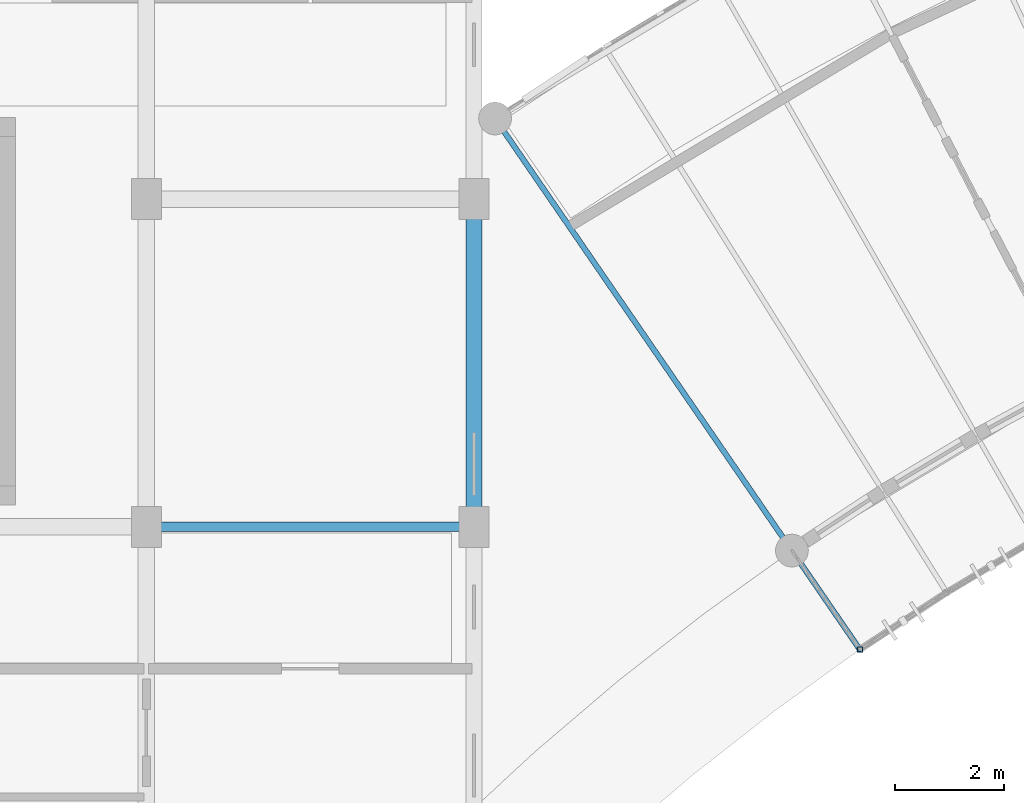
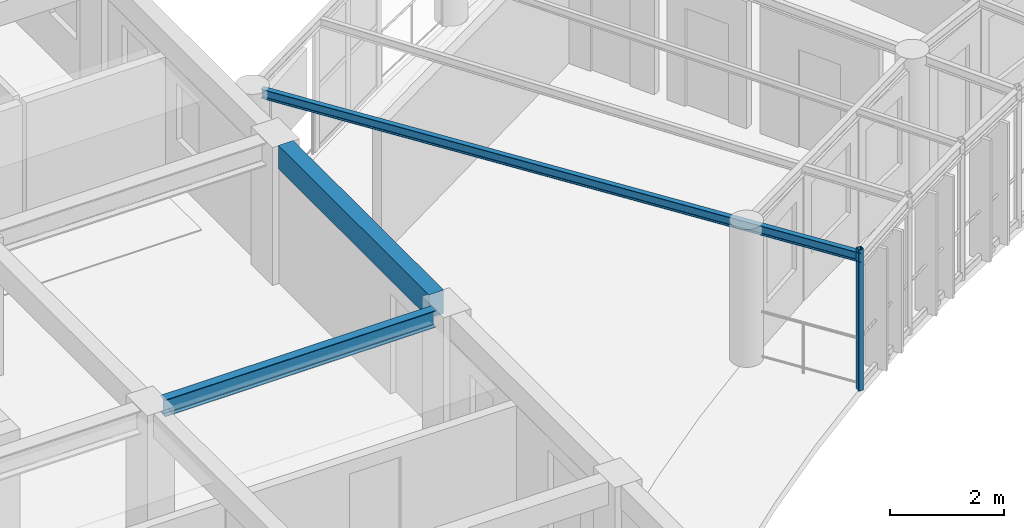
# One storey, part 26 of 100: 3 beams, 1 member.
"""IFC4 building model written with IfcOpenShell, lengths in metres."""

from ifc_helpers import new_model, si_unit, direction, frame, origin, origin_2d, place, context, subcontext, project, spatial, rectangle, hollow_rectangle, i_section, extrude, material, material_profile, profile_set, type_object, element, save


model = new_model("IFC4")

# Units and contexts
model_context = context("Model", 3, precision=1e-05, world=origin(), true_north=direction((0.0, 1.0)))
body_context = subcontext(model_context, "Body", "Model", "MODEL_VIEW")
ifc_project = project(units=[si_unit("LENGTHUNIT", "METRE"), si_unit("AREAUNIT", "SQUARE_METRE"), si_unit("VOLUMEUNIT", "CUBIC_METRE"), si_unit("PLANEANGLEUNIT", "RADIAN"), si_unit("MASSUNIT", "GRAM", prefix="KILO"), si_unit("POWERUNIT", "WATT"), si_unit("THERMODYNAMICTEMPERATUREUNIT", "KELVIN")], contexts=[model_context])

# Site, building, storey
site_placement = place(None, origin())
site = spatial("IfcSite", under=ifc_project, at=site_placement, CompositionType="ELEMENT")
building_placement = place(site_placement, origin())
building = spatial("IfcBuilding", under=site, at=building_placement, Name="Ruvembo Vaulted Housing Court", CompositionType="ELEMENT")
storey_placement = place(building_placement, frame((0.0, 0.0, 14.10009765625)))
storey = spatial("IfcBuildingStorey", under=building, at=storey_placement, Name="L04", CompositionType="ELEMENT", Elevation=14.10009765625)

# Beams
ifc_material_1 = material(Name="Steel S355J2", Category="steel")
ifc_material_profile_1 = material_profile(ifc_material_1, i_section(OverallWidth=0.10009765625, OverallDepth=0.199951171875, WebThickness=0.005615234375, FlangeThickness=0.008544921875, FilletRadius=0.011962890625, at=origin_2d()), Name="IPE 200")
ifc_profile_set_1 = profile_set([ifc_material_profile_1], Name="Steel S355J2")
beam_type_1 = type_object("IfcBeamType", Name="BM-ST-IPE200", PredefinedType="BEAM", material=ifc_profile_set_1)
beam_1_placement = place(storey_placement, frame((84.493896484375, 97.32080078125, 2.83984375), z_axis=(0.566195255681, -0.824271152258, 0.0), x_axis=(0.824271152258, 0.566195255681, 0.0)))
element("IfcBeam", 1, at=beam_1_placement, inside=storey, type_object=beam_type_1, Name="Scoop SC3 L04 Radial Steel Joist 0", PredefinedType="BEAM", context=body_context, shape_type="SweptSolid", body=[
    extrude(i_section(OverallWidth=0.10009765625, OverallDepth=0.199951171875, WebThickness=0.005615234375, FlangeThickness=0.008544921875, FilletRadius=0.011962890625, at=origin_2d()), origin(), (0.0, 0.0, 1.0), 11.650146484375),
])
ifc_material_profile_2 = material_profile(ifc_material_1, i_section(OverallWidth=0.169921875, OverallDepth=0.360107421875, WebThickness=0.008056640625, FlangeThickness=0.0126953125, FilletRadius=0.01806640625, at=origin_2d()), Name="IPE 360")
ifc_profile_set_2 = profile_set([ifc_material_profile_2], Name="Steel S355J2")
beam_type_2 = type_object("IfcBeamType", Name="BM-ST-IPE360", PredefinedType="BEAM", material=ifc_profile_set_2)
beam_2_placement = place(storey_placement, frame((78.260009765625, 90.0, 2.745849609375), z_axis=(1.0, 0.0, 0.0), x_axis=(0.0, 1.0, 0.0)))
element("IfcBeam", 2, at=beam_2_placement, inside=storey, type_object=beam_type_2, Name="L04 Grid Beam X #2106", PredefinedType="BEAM", context=body_context, shape_type="SweptSolid", body=[
    extrude(i_section(OverallWidth=0.169921875, OverallDepth=0.360107421875, WebThickness=0.008056640625, FlangeThickness=0.0126953125, FilletRadius=0.01806640625, at=origin_2d()), origin(), (0.0, 0.0, 1.0), 5.47998046875),
])

# Member
ifc_material_profile_3 = material_profile(ifc_material_1, hollow_rectangle(XDim=0.10009765625, YDim=0.10009765625, WallThickness=0.00634765625, InnerFilletRadius=0.00634765625, OuterFilletRadius=0.0126953125, at=origin_2d()), Name="SHS 100x100x6.3")
ifc_profile_set_3 = profile_set([ifc_material_profile_3], Name="Steel S355J2")
member_type = type_object("IfcMemberType", Name="MEM-FRM-SHS100", PredefinedType="STRUT", material=ifc_profile_set_3)
member_placement = place(storey_placement, frame((91.0673828125, 87.751220703125, -0.01513671875), z_axis=(0.0, 0.0, 1.0), x_axis=(1.0, 0.0, 0.0)))
element("IfcMember", 3, at=member_placement, inside=storey, type_object=member_type, Name="Scoop SC3 L04 Louvre Frame Post 0", PredefinedType="STRUT", context=body_context, shape_type="SweptSolid", body=[
    extrude(hollow_rectangle(XDim=0.10009765625, YDim=0.10009765625, WallThickness=0.00634765625, InnerFilletRadius=0.00634765625, OuterFilletRadius=0.0126953125, at=origin_2d()), origin(), (0.0, 0.0, 1.0), 3.02294921875),
])

# Beam
ifc_material_2 = material(Name="Concrete C35/45", Category="concrete")
ifc_material_profile_4 = material_profile(ifc_material_2, rectangle(XDim=0.300048828125, YDim=0.5, at=origin_2d()), Name="RC 300x500")
ifc_profile_set_4 = profile_set([ifc_material_profile_4], Name="Concrete C35/45")
beam_type_3 = type_object("IfcBeamType", Name="SP-RC-300x500", PredefinedType="SPANDREL", material=ifc_profile_set_4)
beam_3_placement = place(storey_placement, frame((84.0, 90.360107421875, 2.699951171875), z_axis=(0.0, 1.0, 0.0), x_axis=(-1.0, 0.0, 0.0)))
element("IfcBeam", 4, at=beam_3_placement, inside=storey, type_object=beam_type_3, Name="L04 Grid Beam Y #2211", PredefinedType="SPANDREL", context=body_context, shape_type="SweptSolid", body=[
    extrude(rectangle(XDim=0.300048828125, YDim=0.5, at=origin_2d()), origin(), (0.0, 0.0, 1.0), 5.27978515625),
])

save(model, "model.ifc")
